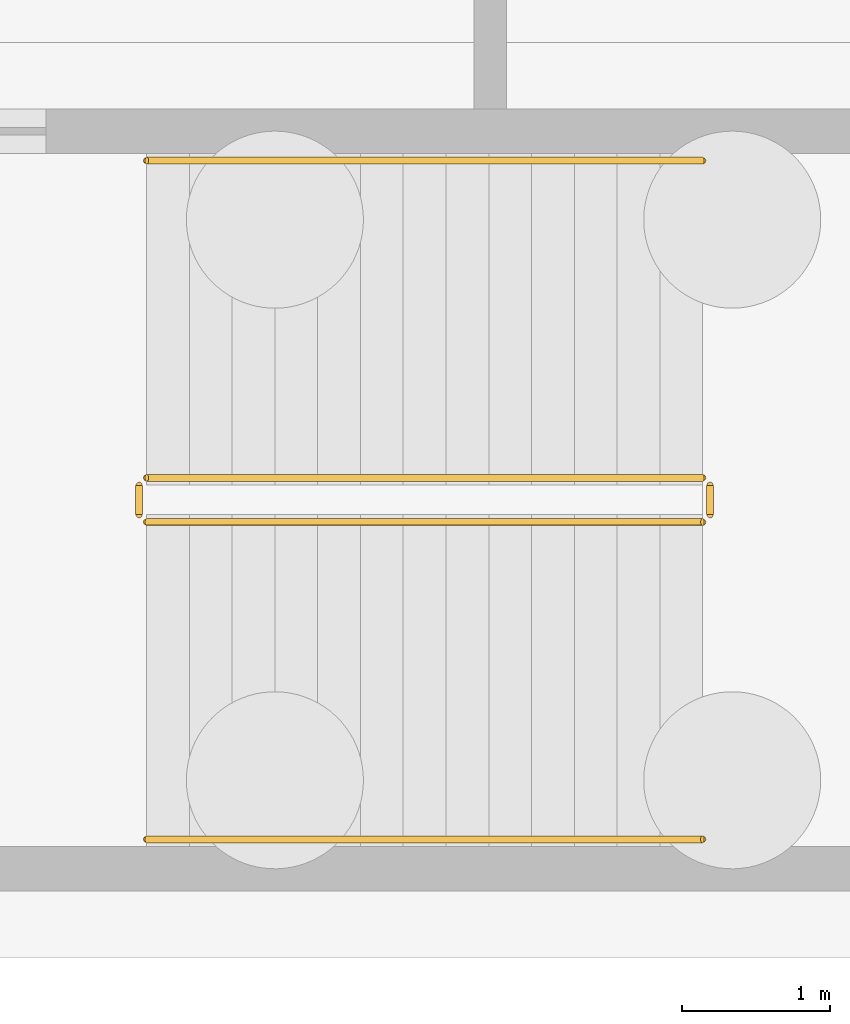
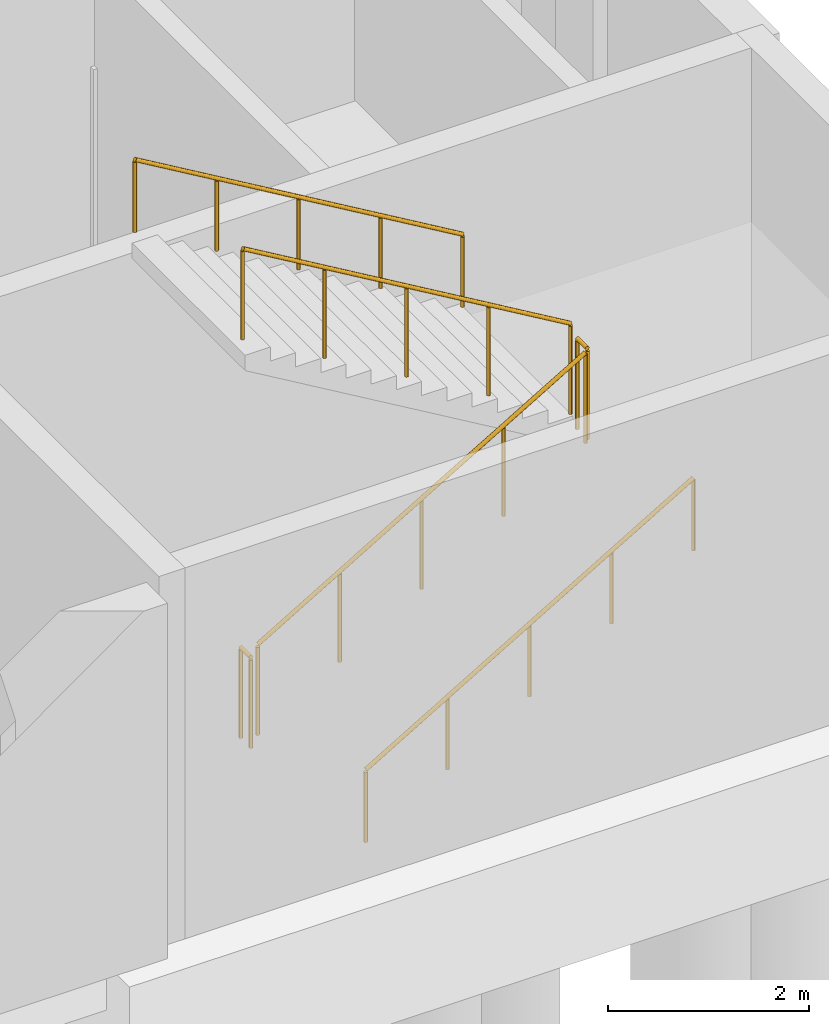
# One storey, part 31 of 34: 6 railings.
"""IFC4 building model written with IfcOpenShell, lengths in metres."""

from ifc_helpers import new_model, si_unit, direction, frame, origin, origin_2d, place, context, subcontext, project, spatial, circle, extrude, material, type_object, element, save


model = new_model("IFC4")

# Units and contexts
model_context = context("Model", 3, precision=1e-05, world=origin(), true_north=direction((0.0, 1.0)))
body_context = subcontext(model_context, "Body", "Model", "MODEL_VIEW")
ifc_project = project(units=[si_unit("LENGTHUNIT", "METRE"), si_unit("AREAUNIT", "SQUARE_METRE"), si_unit("VOLUMEUNIT", "CUBIC_METRE"), si_unit("PLANEANGLEUNIT", "RADIAN"), si_unit("MASSUNIT", "GRAM", prefix="KILO")], contexts=[model_context])

# Site, building, storey
site_placement = place(None, origin())
site = spatial("IfcSite", under=ifc_project, at=site_placement, CompositionType="ELEMENT")
building_placement = place(site_placement, origin())
building = spatial("IfcBuilding", under=site, at=building_placement, Name="Larkvane Passage Sports Hall", CompositionType="ELEMENT")
storey_placement = place(building_placement, frame((0.0, 0.0, -4.800048828125)))
storey = spatial("IfcBuildingStorey", under=building, at=storey_placement, Name="B01", CompositionType="ELEMENT", Elevation=-4.800048828125)

# Railings
ifc_material_1 = material(Name="Steel S355JR", Category="steel")
railing_type_1 = type_object("IfcRailingType", Name="RL-GUARD-1120", PredefinedType="GUARDRAIL", material=ifc_material_1)
railing_1_placement = place(storey_placement, frame((86.179931640625, 25.300048828125, 0.17138671875)))
element("IfcRailing", 1, at=railing_1_placement, inside=storey, type_object=railing_type_1, Name="B01 ST-04 stair guard 1", PredefinedType="GUARDRAIL", context=body_context, shape_type="SweptSolid", body=[
    extrude(circle(Radius=0.02392578125, at=origin_2d()), frame((0.001708984375, 0.0, 1.09716796875), z_axis=(0.860824410104, 0.0, 0.508902087802), x_axis=(0.0, 1.0, 0.0)), (0.0, 0.0, 1.0), 4.37548828125),
    extrude(circle(Radius=0.02099609375, at=origin_2d()), origin(), (0.0, 0.0, 1.0), 1.072021484375),
    extrude(circle(Radius=0.02099609375, at=origin_2d()), frame((0.9423828125, 0.0, 0.55712890625)), (0.0, 0.0, 1.0), 1.072021484375),
    extrude(circle(Radius=0.02099609375, at=origin_2d()), frame((1.885009765625, 0.0, 1.1142578125)), (0.0, 0.0, 1.0), 1.072021484375),
    extrude(circle(Radius=0.02099609375, at=origin_2d()), frame((2.82763671875, 0.0, 1.671630859375)), (0.0, 0.0, 1.0), 1.072021484375),
    extrude(circle(Radius=0.02099609375, at=origin_2d()), frame((3.77001953125, 0.0, 2.228759765625)), (0.0, 0.0, 1.0), 1.072021484375),
])
railing_2_placement = place(storey_placement, frame((90.0, 25.35009765625, 2.400146484375)))
element("IfcRailing", 2, at=railing_2_placement, inside=storey, type_object=railing_type_1, Name="B01 ST-04 stair guard 2", PredefinedType="GUARDRAIL", context=body_context, shape_type="SweptSolid", body=[
    extrude(circle(Radius=0.02392578125, at=origin_2d()), frame((0.0, 0.001953125, 1.09619140625), z_axis=(0.0, 1.0, 0.0), x_axis=(-1.0, 0.0, 0.0)), (0.0, 0.0, 1.0), 0.196044921875),
    extrude(circle(Radius=0.02099609375, at=origin_2d()), origin(), (0.0, 0.0, 1.0), 1.072021484375),
    extrude(circle(Radius=0.02099609375, at=origin_2d()), frame((0.0, 0.199951171875, 0.0)), (0.0, 0.0, 1.0), 1.072021484375),
])
railing_3_placement = place(storey_placement, frame((89.949951171875, 25.60009765625, 2.571533203125)))
element("IfcRailing", 3, at=railing_3_placement, inside=storey, type_object=railing_type_1, Name="B01 ST-04 stair guard 3", PredefinedType="GUARDRAIL", context=body_context, shape_type="SweptSolid", body=[
    extrude(circle(Radius=0.02392578125, at=origin_2d()), frame((-0.001708984375, 0.0, 1.09716796875), z_axis=(-0.860848830602, 0.0, 0.508860777473), x_axis=(0.0, -1.0, 0.0)), (0.0, 0.0, 1.0), 4.37548828125),
    extrude(circle(Radius=0.02099609375, at=origin_2d()), origin(), (0.0, 0.0, 1.0), 1.072021484375),
    extrude(circle(Radius=0.02099609375, at=origin_2d()), frame((-0.9423828125, 0.0, 0.55712890625)), (0.0, 0.0, 1.0), 1.072021484375),
    extrude(circle(Radius=0.02099609375, at=origin_2d()), frame((-1.885009765625, 0.0, 1.1142578125)), (0.0, 0.0, 1.0), 1.072021484375),
    extrude(circle(Radius=0.02099609375, at=origin_2d()), frame((-2.82763671875, 0.0, 1.67138671875)), (0.0, 0.0, 1.0), 1.072021484375),
    extrude(circle(Radius=0.02099609375, at=origin_2d()), frame((-3.77001953125, 0.0, 2.228515625)), (0.0, 0.0, 1.0), 1.072021484375),
])
railing_4_placement = place(storey_placement, frame((86.1298828125, 25.35009765625, 0.0)))
element("IfcRailing", 4, at=railing_4_placement, inside=storey, type_object=railing_type_1, Name="B01 ST-04 stair guard 4", PredefinedType="GUARDRAIL", context=body_context, shape_type="SweptSolid", body=[
    extrude(circle(Radius=0.02392578125, at=origin_2d()), frame((0.0, 0.001953125, 1.09619140625), z_axis=(0.0, 1.0, 0.0), x_axis=(-1.0, 0.0, 0.0)), (0.0, 0.0, 1.0), 0.196044921875),
    extrude(circle(Radius=0.02099609375, at=origin_2d()), origin(), (0.0, 0.0, 1.0), 1.072021484375),
    extrude(circle(Radius=0.02099609375, at=origin_2d()), frame((0.0, 0.199951171875, 0.0)), (0.0, 0.0, 1.0), 1.072021484375),
])
ifc_material_2 = material(Name="Stainless steel S355JR", Category="steel")
railing_type_2 = type_object("IfcRailingType", Name="RL-HAND-920", PredefinedType="HANDRAIL", material=ifc_material_2)
railing_5_placement = place(storey_placement, frame((86.179931640625, 23.14990234375, 0.17138671875)))
element("IfcRailing", 5, at=railing_5_placement, inside=storey, type_object=railing_type_2, Name="B01 ST-04 stair handrail 1", PredefinedType="HANDRAIL", context=body_context, shape_type="SweptSolid", body=[
    extrude(circle(Radius=0.02392578125, at=origin_2d()), frame((0.001708984375, 0.0, 0.876953125), z_axis=(0.860824410104, 0.0, 0.508902087802), x_axis=(0.0, 1.0, 0.0)), (0.0, 0.0, 1.0), 4.37548828125),
    extrude(circle(Radius=0.02099609375, at=origin_2d()), origin(), (0.0, 0.0, 1.0), 0.851806640625),
    extrude(circle(Radius=0.02099609375, at=origin_2d()), frame((0.9423828125, 0.0, 0.55712890625)), (0.0, 0.0, 1.0), 0.851806640625),
    extrude(circle(Radius=0.02099609375, at=origin_2d()), frame((1.885009765625, 0.0, 1.1142578125)), (0.0, 0.0, 1.0), 0.851806640625),
    extrude(circle(Radius=0.02099609375, at=origin_2d()), frame((2.82763671875, 0.0, 1.671630859375)), (0.0, 0.0, 1.0), 0.851806640625),
    extrude(circle(Radius=0.02099609375, at=origin_2d()), frame((3.77001953125, 0.0, 2.228759765625)), (0.0, 0.0, 1.0), 0.851806640625),
])
railing_6_placement = place(storey_placement, frame((89.949951171875, 27.75, 2.571533203125)))
element("IfcRailing", 6, at=railing_6_placement, inside=storey, type_object=railing_type_2, Name="B01 ST-04 stair handrail 2", PredefinedType="HANDRAIL", context=body_context, shape_type="SweptSolid", body=[
    extrude(circle(Radius=0.02392578125, at=origin_2d()), frame((-0.001708984375, 0.0, 0.876953125), z_axis=(-0.860848830602, 0.0, 0.508860777473), x_axis=(0.0, -1.0, 0.0)), (0.0, 0.0, 1.0), 4.37548828125),
    extrude(circle(Radius=0.02099609375, at=origin_2d()), origin(), (0.0, 0.0, 1.0), 0.851806640625),
    extrude(circle(Radius=0.02099609375, at=origin_2d()), frame((-0.9423828125, 0.0, 0.55712890625)), (0.0, 0.0, 1.0), 0.851806640625),
    extrude(circle(Radius=0.02099609375, at=origin_2d()), frame((-1.885009765625, 0.0, 1.1142578125)), (0.0, 0.0, 1.0), 0.851806640625),
    extrude(circle(Radius=0.02099609375, at=origin_2d()), frame((-2.82763671875, 0.0, 1.67138671875)), (0.0, 0.0, 1.0), 0.851806640625),
    extrude(circle(Radius=0.02099609375, at=origin_2d()), frame((-3.77001953125, 0.0, 2.228515625)), (0.0, 0.0, 1.0), 0.851806640625),
])

save(model, "model.ifc")
